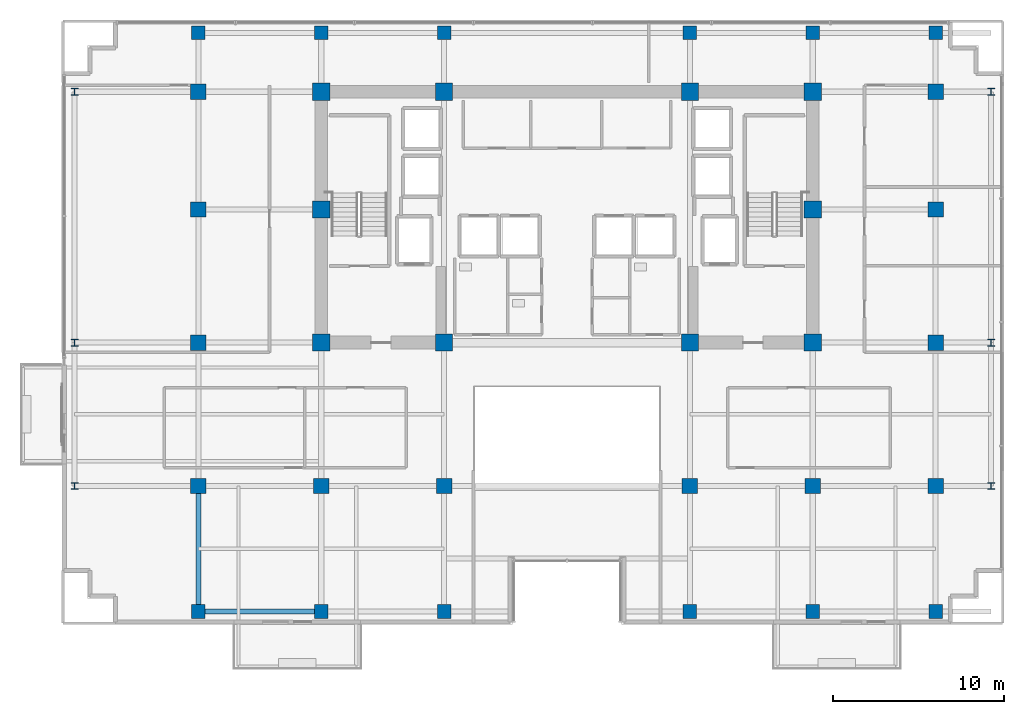
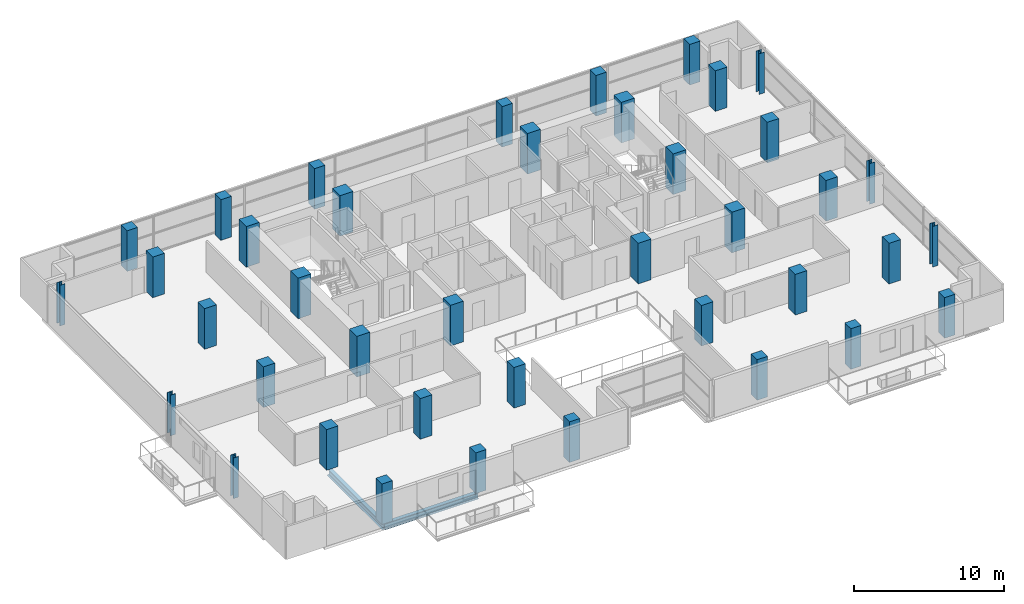
# One storey, part 1 of 27: 40 columns, 2 beams.
"""IFC4 building model written with IfcOpenShell, lengths in metres."""

from ifc_helpers import new_model, si_unit, direction, frame, origin, origin_2d, place, context, subcontext, project, spatial, rectangle, i_section, extrude, material, material_profile, profile_set, type_object, element, save


model = new_model("IFC4")

# Units and contexts
model_context = context("Model", 3, precision=1e-05, world=origin(), true_north=direction((0.0, 1.0)))
body_context = subcontext(model_context, "Body", "Model", "MODEL_VIEW")
ifc_project = project(units=[si_unit("LENGTHUNIT", "METRE"), si_unit("AREAUNIT", "SQUARE_METRE"), si_unit("VOLUMEUNIT", "CUBIC_METRE"), si_unit("PLANEANGLEUNIT", "RADIAN"), si_unit("MASSUNIT", "GRAM", prefix="KILO")], contexts=[model_context])

# Site, building, storey
site_placement = place(None, origin())
site = spatial("IfcSite", under=ifc_project, at=site_placement, CompositionType="ELEMENT")
building_placement = place(site_placement, origin())
building = spatial("IfcBuilding", under=site, at=building_placement, Name="Zarnakvel Exchange Tower", CompositionType="ELEMENT")
storey_placement = place(building_placement, frame((0.0, 0.0, 96.699951171875)))
storey = spatial("IfcBuildingStorey", under=building, at=storey_placement, Name="L26", CompositionType="ELEMENT", Elevation=96.699951171875)

# Columns
ifc_material_1 = material(Name="Concrete C60/75", Category="concrete")
ifc_material_profile_1 = material_profile(ifc_material_1, rectangle(XDim=1.0, YDim=1.0, at=origin_2d()))
ifc_profile_set_1 = profile_set([ifc_material_profile_1], Name="Concrete C60/75")
column_type_1 = type_object("IfcColumnType", Name="CC-02", PredefinedType="COLUMN", material=ifc_profile_set_1)
for number, where, z_axis, x_axis, name in (
    (1, (-14.39990234375, -1.199951171875, 0.0), (0.0, 0.0, 1.0), (1.0, 0.0, 0.0), "L26 Column C-4D (CC-02)"),
    (2, (-7.199951171875, -1.199951171875, 0.0), (0.0, 0.0, 1.0), (1.0, 0.0, 0.0), "L26 Column C-5D (CC-02)"),
    (3, (7.199951171875, -1.199951171875, 0.0), (0.0, 0.0, 1.0), (1.0, 0.0, 0.0), "L26 Column C-8D (CC-02)"),
    (4, (14.39990234375, -1.199951171875, 0.0), (0.0, 0.0, 1.0), (1.0, 0.0, 0.0), "L26 Column C-9D (CC-02)"),
    (5, (-14.39990234375, 6.60009765625, 0.0), (0.0, 0.0, 1.0), (1.0, 0.0, 0.0), "L26 Column C-4E (CC-02)"),
    (6, (14.39990234375, 6.60009765625, 0.0), (0.0, 0.0, 1.0), (1.0, 0.0, 0.0), "L26 Column C-9E (CC-02)"),
    (7, (-14.39990234375, 13.5, 0.0), (0.0, 0.0, 1.0), (1.0, 0.0, 0.0), "L26 Column C-4F (CC-02)"),
    (8, (-7.199951171875, 13.5, 0.0), (0.0, 0.0, 1.0), (1.0, 0.0, 0.0), "L26 Column C-5F (CC-02)"),
    (9, (7.199951171875, 13.5, 0.0), (0.0, 0.0, 1.0), (1.0, 0.0, 0.0), "L26 Column C-8F (CC-02)"),
    (10, (14.39990234375, 13.5, 0.0), (0.0, 0.0, 1.0), (1.0, 0.0, 0.0), "L26 Column C-9F (CC-02)"),
):
    element("IfcColumn", number, at=place(storey_placement, frame(where, z_axis=z_axis, x_axis=x_axis)), inside=storey, type_object=column_type_1, Name=name, PredefinedType="COLUMN", context=body_context, shape_type="SweptSolid", body=[
        extrude(rectangle(XDim=1.0, YDim=1.0, at=origin_2d()), origin(), (0.0, 0.0, 1.0), 3.300048828125),
    ])
ifc_material_2 = material(Name="Steel S355", Category="steel")
ifc_material_profile_2 = material_profile(ifc_material_2, i_section(OverallWidth=0.404052734375, OverallDepth=0.406982421875, WebThickness=0.0224609375, FlangeThickness=0.031982421875, FilletRadius=0.014892578125, at=origin_2d()))
ifc_profile_set_2 = profile_set([ifc_material_profile_2], Name="Steel S355")
column_type_2 = type_object("IfcColumnType", Name="SC-02", PredefinedType="COLUMN", material=ifc_profile_set_2)
for number, where, z_axis, x_axis, name in (
    (11, (-28.85009765625, -9.60009765625, 0.0), (0.0, 0.0, 1.0), (1.0, 0.0, 0.0), "L26 Column TW-C (SC-02)"),
    (12, (24.85009765625, -9.60009765625, 0.0), (0.0, 0.0, 1.0), (1.0, 0.0, 0.0), "L26 Column TE-C (SC-02)"),
    (13, (-28.85009765625, -1.199951171875, 0.0), (0.0, 0.0, 1.0), (1.0, 0.0, 0.0), "L26 Column TW-D (SC-02)"),
    (14, (24.85009765625, -1.199951171875, 0.0), (0.0, 0.0, 1.0), (1.0, 0.0, 0.0), "L26 Column TE-D (SC-02)"),
    (15, (-28.85009765625, 13.5, 0.0), (0.0, 0.0, 1.0), (1.0, 0.0, 0.0), "L26 Column TW-F (SC-02)"),
    (16, (24.85009765625, 13.5, 0.0), (0.0, 0.0, 1.0), (1.0, 0.0, 0.0), "L26 Column TE-F (SC-02)"),
):
    element("IfcColumn", number, at=place(storey_placement, frame(where, z_axis=z_axis, x_axis=x_axis)), inside=storey, type_object=column_type_2, Name=name, PredefinedType="COLUMN", context=body_context, shape_type="SweptSolid", body=[
        extrude(i_section(OverallWidth=0.404052734375, OverallDepth=0.406982421875, WebThickness=0.0224609375, FlangeThickness=0.031982421875, FilletRadius=0.014892578125, at=origin_2d()), origin(), (0.0, 0.0, 1.0), 3.300048828125),
    ])
ifc_material_profile_3 = material_profile(ifc_material_1, rectangle(XDim=0.89990234375, YDim=0.89990234375, at=origin_2d()))
ifc_profile_set_3 = profile_set([ifc_material_profile_3], Name="Concrete C60/75")
column_type_3 = type_object("IfcColumnType", Name="TC-02", PredefinedType="COLUMN", material=ifc_profile_set_3)
for number, where, z_axis, x_axis, name in (
    (17, (-14.39990234375, -9.60009765625, 0.0), (0.0, 0.0, 1.0), (1.0, 0.0, 0.0), "L26 Column T-4C (TC-02)"),
    (18, (-7.199951171875, -9.60009765625, 0.0), (0.0, 0.0, 1.0), (1.0, 0.0, 0.0), "L26 Column T-5C (TC-02)"),
    (19, (7.199951171875, -9.60009765625, 0.0), (0.0, 0.0, 1.0), (1.0, 0.0, 0.0), "L26 Column T-8C (TC-02)"),
    (20, (14.39990234375, -9.60009765625, 0.0), (0.0, 0.0, 1.0), (1.0, 0.0, 0.0), "L26 Column T-9C (TC-02)"),
    (21, (-21.60009765625, -9.60009765625, 0.0), (0.0, 0.0, 1.0), (1.0, 0.0, 0.0), "L26 Column T-3C (TC-02)"),
    (22, (-21.60009765625, -1.199951171875, 0.0), (0.0, 0.0, 1.0), (1.0, 0.0, 0.0), "L26 Column T-3D (TC-02)"),
    (23, (-21.60009765625, 6.60009765625, 0.0), (0.0, 0.0, 1.0), (1.0, 0.0, 0.0), "L26 Column T-3E (TC-02)"),
    (24, (-21.60009765625, 13.5, 0.0), (0.0, 0.0, 1.0), (1.0, 0.0, 0.0), "L26 Column T-3F (TC-02)"),
    (25, (21.60009765625, -9.60009765625, 0.0), (0.0, 0.0, 1.0), (1.0, 0.0, 0.0), "L26 Column T-10C (TC-02)"),
    (26, (21.60009765625, -1.199951171875, 0.0), (0.0, 0.0, 1.0), (1.0, 0.0, 0.0), "L26 Column T-10D (TC-02)"),
    (27, (21.60009765625, 6.60009765625, 0.0), (0.0, 0.0, 1.0), (1.0, 0.0, 0.0), "L26 Column T-10E (TC-02)"),
    (28, (21.60009765625, 13.5, 0.0), (0.0, 0.0, 1.0), (1.0, 0.0, 0.0), "L26 Column T-10F (TC-02)"),
):
    element("IfcColumn", number, at=place(storey_placement, frame(where, z_axis=z_axis, x_axis=x_axis)), inside=storey, type_object=column_type_3, Name=name, PredefinedType="COLUMN", context=body_context, shape_type="SweptSolid", body=[
        extrude(rectangle(XDim=0.89990234375, YDim=0.89990234375, at=origin_2d()), origin(), (0.0, 0.0, 1.0), 3.300048828125),
    ])
ifc_material_profile_4 = material_profile(ifc_material_1, rectangle(XDim=0.800048828125, YDim=0.800048828125, at=origin_2d()))
ifc_profile_set_4 = profile_set([ifc_material_profile_4], Name="Concrete C60/75")
column_type_4 = type_object("IfcColumnType", Name="TC-03", PredefinedType="COLUMN", material=ifc_profile_set_4)
for number, where, z_axis, x_axis, name in (
    (29, (-14.39990234375, -16.949951171875, 0.0), (0.0, 0.0, 1.0), (1.0, 0.0, 0.0), "L26 Column TS-4 (TC-03)"),
    (30, (-14.39990234375, 16.949951171875, 0.0), (0.0, 0.0, 1.0), (1.0, 0.0, 0.0), "L26 Column TN-4 (TC-03)"),
    (31, (-7.199951171875, -16.949951171875, 0.0), (0.0, 0.0, 1.0), (1.0, 0.0, 0.0), "L26 Column TS-5 (TC-03)"),
    (32, (-7.199951171875, 16.949951171875, 0.0), (0.0, 0.0, 1.0), (1.0, 0.0, 0.0), "L26 Column TN-5 (TC-03)"),
    (33, (7.199951171875, -16.949951171875, 0.0), (0.0, 0.0, 1.0), (1.0, 0.0, 0.0), "L26 Column TS-8 (TC-03)"),
    (34, (7.199951171875, 16.949951171875, 0.0), (0.0, 0.0, 1.0), (1.0, 0.0, 0.0), "L26 Column TN-8 (TC-03)"),
    (35, (14.39990234375, -16.949951171875, 0.0), (0.0, 0.0, 1.0), (1.0, 0.0, 0.0), "L26 Column TS-9 (TC-03)"),
    (36, (14.39990234375, 16.949951171875, 0.0), (0.0, 0.0, 1.0), (1.0, 0.0, 0.0), "L26 Column TN-9 (TC-03)"),
    (37, (-21.60009765625, -16.949951171875, 0.0), (0.0, 0.0, 1.0), (1.0, 0.0, 0.0), "L26 Column TS-3 (TC-03)"),
    (38, (-21.60009765625, 16.949951171875, 0.0), (0.0, 0.0, 1.0), (1.0, 0.0, 0.0), "L26 Column TN-3 (TC-03)"),
    (39, (21.60009765625, -16.949951171875, 0.0), (0.0, 0.0, 1.0), (1.0, 0.0, 0.0), "L26 Column TS-10 (TC-03)"),
    (40, (21.60009765625, 16.949951171875, 0.0), (0.0, 0.0, 1.0), (1.0, 0.0, 0.0), "L26 Column TN-10 (TC-03)"),
):
    element("IfcColumn", number, at=place(storey_placement, frame(where, z_axis=z_axis, x_axis=x_axis)), inside=storey, type_object=column_type_4, Name=name, PredefinedType="COLUMN", context=body_context, shape_type="SweptSolid", body=[
        extrude(rectangle(XDim=0.800048828125, YDim=0.800048828125, at=origin_2d()), origin(), (0.0, 0.0, 1.0), 3.300048828125),
    ])

# Beams
ifc_material_profile_5 = material_profile(ifc_material_2, i_section(OverallWidth=0.300048828125, OverallDepth=0.550048828125, WebThickness=0.014892578125, FlangeThickness=0.029052734375, FilletRadius=0.027099609375, at=origin_2d()))
ifc_profile_set_5 = profile_set([ifc_material_profile_5], Name="Steel S355")
beam_type_1 = type_object("IfcBeamType", Name="G-05", PredefinedType="BEAM", material=ifc_profile_set_5)
beam_1_placement = place(storey_placement, frame((-21.60009765625, -16.949951171875, -0.5), z_axis=(0.0, 1.0, 0.0), x_axis=(-1.0, 0.0, 0.0)))
element("IfcBeam", 41, at=beam_1_placement, inside=storey, type_object=beam_type_1, Name="L26 Tower N-S Frame Beam", PredefinedType="BEAM", context=body_context, shape_type="SweptSolid", body=[
    extrude(i_section(OverallWidth=0.300048828125, OverallDepth=0.550048828125, WebThickness=0.014892578125, FlangeThickness=0.029052734375, FilletRadius=0.027099609375, at=origin_2d()), origin(), (0.0, 0.0, 1.0), 7.349853515625),
])
ifc_material_profile_6 = material_profile(ifc_material_2, i_section(OverallWidth=0.300048828125, OverallDepth=0.5, WebThickness=0.014404296875, FlangeThickness=0.028076171875, FilletRadius=0.027099609375, at=origin_2d()))
ifc_profile_set_6 = profile_set([ifc_material_profile_6], Name="Steel S355")
beam_type_2 = type_object("IfcBeamType", Name="SP-02", PredefinedType="SPANDREL", material=ifc_profile_set_6)
beam_2_placement = place(storey_placement, frame((-21.60009765625, -16.949951171875, -0.474853515625), z_axis=(1.0, 0.0, 0.0), x_axis=(0.0, 1.0, 0.0)))
element("IfcBeam", 42, at=beam_2_placement, inside=storey, type_object=beam_type_2, Name="L26 Tower E-W Frame Beam", PredefinedType="SPANDREL", context=body_context, shape_type="SweptSolid", body=[
    extrude(i_section(OverallWidth=0.300048828125, OverallDepth=0.5, WebThickness=0.014404296875, FlangeThickness=0.028076171875, FilletRadius=0.027099609375, at=origin_2d()), origin(), (0.0, 0.0, 1.0), 7.2001953125),
])

save(model, "model.ifc")
